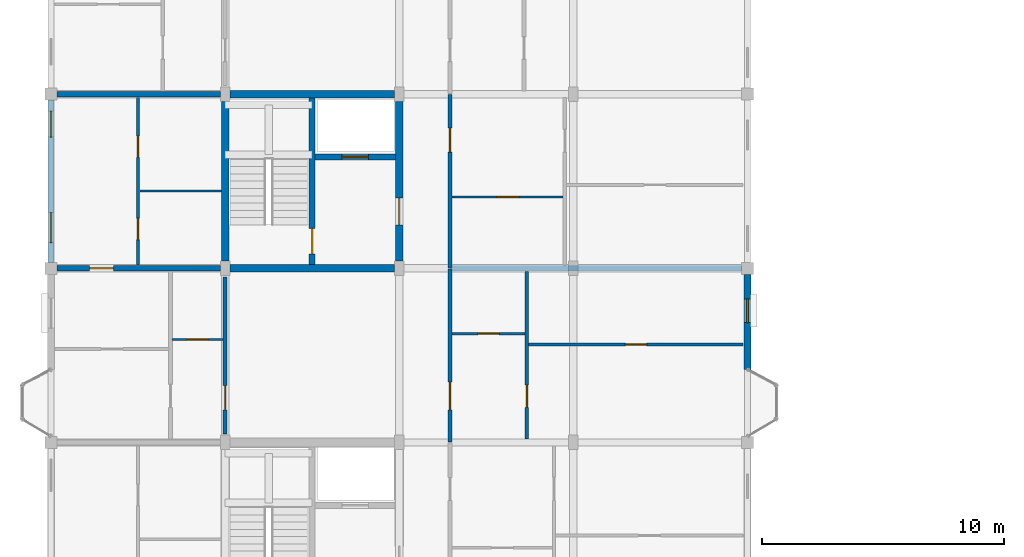
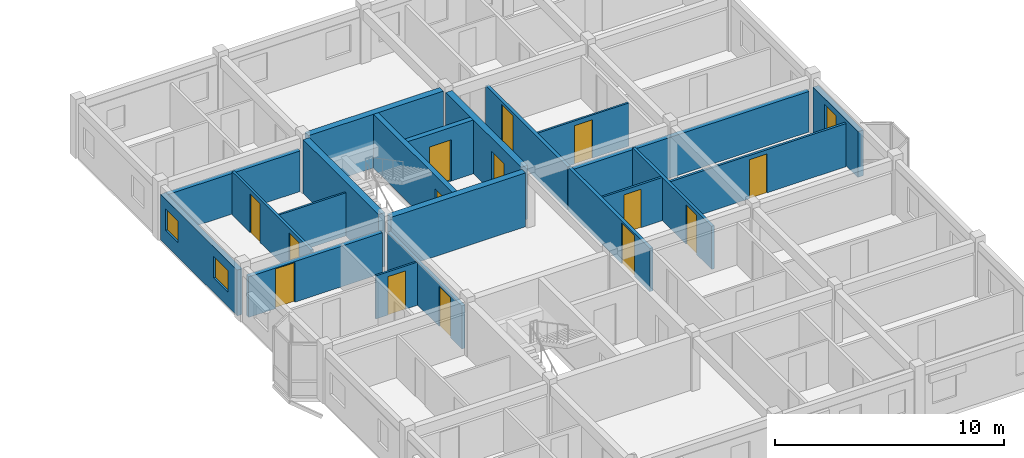
# One storey, part 47 of 65: 21 walls, 14 doors, 3 windows, 17 openings.
"""IFC4 building model written with IfcOpenShell, lengths in metres."""

from ifc_helpers import new_model, si_unit, direction, frame, frame_2d, origin, place, context, subcontext, project, spatial, rectangle, extrude, material, layer, layer_set, type_object, element, fill, save


model = new_model("IFC4")

# Units and contexts
model_context = context("Model", 3, precision=1e-05, world=origin(), true_north=direction((0.0, 1.0)))
body_context = subcontext(model_context, "Body", "Model", "MODEL_VIEW")
ifc_project = project(units=[si_unit("LENGTHUNIT", "METRE"), si_unit("AREAUNIT", "SQUARE_METRE"), si_unit("VOLUMEUNIT", "CUBIC_METRE"), si_unit("PLANEANGLEUNIT", "RADIAN"), si_unit("MASSUNIT", "GRAM", prefix="KILO"), si_unit("THERMODYNAMICTEMPERATUREUNIT", "KELVIN"), si_unit("POWERUNIT", "WATT")], contexts=[model_context])

# Site, building, storey
site_placement = place(None, origin())
site = spatial("IfcSite", under=ifc_project, at=site_placement, CompositionType="ELEMENT")
building_placement = place(site_placement, origin())
building = spatial("IfcBuilding", under=site, at=building_placement, Name="Tavuni Mirador Residences", CompositionType="ELEMENT")
storey_placement = place(building_placement, frame((0.0, 0.0, 29.699951171875)))
storey = spatial("IfcBuildingStorey", under=building, at=storey_placement, Name="L09", CompositionType="ELEMENT", Elevation=29.699951171875)

# Wall, opening, door
ifc_material_1 = material(Name="Precast concrete C40/50", Category="concrete")
ifc_layer_1 = layer(ifc_material_1, 0.25, Name="Precast concrete C40/50", Category="concrete")
ifc_layer_set_1 = layer_set([ifc_layer_1], Name="Precast concrete C40/50")
wall_type_1 = type_object("IfcWallType", Name="WT-COR250", PredefinedType="SHEAR", material=ifc_layer_set_1)
wall_1_placement = place(storey_placement, frame((14.39990234375, 28.9599609375, 0.0), z_axis=(0.0, 0.0, 1.0), x_axis=(0.0, 1.0, 0.0)))
wall_1 = element("IfcWall", 1, at=wall_1_placement, inside=storey, type_object=wall_type_1, Name="CWALL-C2-L09-MID", PredefinedType="SHEAR", context=body_context, shape_type="SweptSolid", body=[
    extrude(rectangle(XDim=6.880126953125, YDim=0.25, at=frame_2d((3.43994140625, 0.0))), origin(), (0.0, 0.0, 1.0), 2.8701171875),
])
opening_1_placement = place(wall_1_placement, frame((0.43994140625, 0.0, 0.0)))
opening_1 = element("IfcOpeningElement", 2, at=opening_1_placement, cuts=wall_1, Name="Opening D-01", PredefinedType="OPENING", context=body_context, shape_type="SweptSolid", body=[
    extrude(rectangle(XDim=1.050048828125, YDim=2.14990234375, at=frame_2d((0.52490234375, 1.074951171875))), frame((0.0, 0.135009765625, 0.0), z_axis=(0.0, -1.0, 0.0), x_axis=(1.0, 0.0, 0.0)), (0.0, 0.0, 1.0), 0.27001953125),
])
ifc_material_2 = material(Name="Solid core iroko timber", Category="wood")
door_type_1 = type_object("IfcDoorType", Name="DT-ST1050", OperationType="NOTDEFINED", PredefinedType="DOOR", material=ifc_material_2)
door_1_placement = place(opening_1_placement, origin())
door_1 = element("IfcDoor", 3, at=door_1_placement, inside=storey, type_object=door_type_1, Name="DR-2087", OperationType="SINGLE_SWING_LEFT", OverallHeight=2.14990234375, OverallWidth=1.050048828125, PredefinedType="DOOR", context=body_context, shape_type="SweptSolid", body=[
    extrude(rectangle(XDim=1.050048828125, YDim=2.14990234375, at=frame_2d((0.52490234375, 1.074951171875))), frame((0.0, 0.02490234375, 0.0), z_axis=(0.0, -1.0, 0.0), x_axis=(1.0, 0.0, 0.0)), (0.0, 0.0, 1.0), 0.050048828125),
])
fill(opening_1, door_1)

wall_2_placement = place(storey_placement, frame((14.52490234375, 33.39990234375, 0.0), z_axis=(0.0, 0.0, 1.0), x_axis=(1.0, 0.0, 0.0)))
wall_2 = element("IfcWall", 4, at=wall_2_placement, inside=storey, type_object=wall_type_1, Name="CWALL-C2-L09-SHF", PredefinedType="SHEAR", context=body_context, shape_type="SweptSolid", body=[
    extrude(rectangle(XDim=3.315185546875, YDim=0.25, at=frame_2d((1.65771484375, 0.0))), origin(), (0.0, 0.0, 1.0), 2.8701171875),
])
opening_2_placement = place(wall_2_placement, frame((1.10009765625, 0.0, 0.0)))
opening_2 = element("IfcOpeningElement", 5, at=opening_2_placement, cuts=wall_2, Name="Opening LD-01", PredefinedType="OPENING", context=body_context, shape_type="SweptSolid", body=[
    extrude(rectangle(XDim=1.10009765625, YDim=2.199951171875, at=frame_2d((0.550048828125, 1.10009765625))), frame((0.0, 0.135009765625, 0.0), z_axis=(0.0, -1.0, 0.0), x_axis=(1.0, 0.0, 0.0)), (0.0, 0.0, 1.0), 0.27001953125),
])
ifc_material_3 = material(Name="Structural steel S355", Category="steel")
door_type_2 = type_object("IfcDoorType", Name="DT-LD-FF", OperationType="SLIDING_TO_LEFT", PredefinedType="DOOR", material=ifc_material_3)
door_2_placement = place(opening_2_placement, origin())
door_2 = element("IfcDoor", 6, at=door_2_placement, inside=storey, type_object=door_type_2, Name="Lift landing door FL-A2 L09", OperationType="SLIDING_TO_LEFT", OverallHeight=2.199951171875, OverallWidth=1.10009765625, PredefinedType="DOOR", context=body_context, shape_type="SweptSolid", body=[
    extrude(rectangle(XDim=1.10009765625, YDim=2.199951171875, at=frame_2d((0.550048828125, 1.10009765625))), frame((0.0, 0.02490234375, 0.0), z_axis=(0.0, -1.0, 0.0), x_axis=(1.0, 0.0, 0.0)), (0.0, 0.0, 1.0), 0.050048828125),
])
fill(opening_2, door_2)

# Walls
ifc_layer_2 = layer(ifc_material_1, 0.320068359375, Name="Precast concrete C40/50", Category="concrete")
ifc_layer_set_2 = layer_set([ifc_layer_2], Name="Precast concrete C40/50")
wall_type_2 = type_object("IfcWallType", Name="WT-COR320", PredefinedType="SHEAR", material=ifc_layer_set_2)
wall_3_placement = place(storey_placement, frame((10.800048828125, 29.10009765625, 0.0), z_axis=(0.0, 0.0, 1.0), x_axis=(0.0, 1.0, 0.0)))
element("IfcWall", 7, at=wall_3_placement, inside=storey, type_object=wall_type_2, Name="CWALL-C2-L09-W", PredefinedType="SHEAR", context=body_context, shape_type="SweptSolid", body=[
    extrude(rectangle(XDim=6.599853515625, YDim=0.320068359375, at=frame_2d((3.2998046875, 0.0))), origin(), (0.0, 0.0, 1.0), 2.8701171875),
])
wall_4_placement = place(storey_placement, frame((11.0, 36.0, 0.0), z_axis=(0.0, 0.0, 1.0), x_axis=(1.0, 0.0, 0.0)))
element("IfcWall", 8, at=wall_4_placement, inside=storey, type_object=wall_type_2, Name="CWALL-C2-L09-N", PredefinedType="SHEAR", context=body_context, shape_type="SweptSolid", body=[
    extrude(rectangle(XDim=6.800048828125, YDim=0.320068359375, at=frame_2d((3.39990234375, 0.0))), origin(), (0.0, 0.0, 1.0), 2.8701171875),
])

# Wall, opening, door
wall_5_placement = place(storey_placement, frame((18.0, 29.10009765625, 0.0), z_axis=(0.0, 0.0, 1.0), x_axis=(0.0, 1.0, 0.0)))
wall_5 = element("IfcWall", 9, at=wall_5_placement, inside=storey, type_object=wall_type_2, Name="CWALL-C2-L09-E", PredefinedType="SHEAR", context=body_context, shape_type="SweptSolid", body=[
    extrude(rectangle(XDim=6.599853515625, YDim=0.320068359375, at=frame_2d((3.2998046875, 0.0))), origin(), (0.0, 0.0, 1.0), 2.8701171875),
])
opening_3_placement = place(wall_5_placement, frame((1.5, 0.0, 0.0)))
opening_3 = element("IfcOpeningElement", 10, at=opening_3_placement, cuts=wall_5, Name="Opening D-02", PredefinedType="OPENING", context=body_context, shape_type="SweptSolid", body=[
    extrude(rectangle(XDim=1.10009765625, YDim=2.14990234375, at=frame_2d((0.550048828125, 1.074951171875))), frame((0.0, 0.169921875, 0.0), z_axis=(0.0, -1.0, 0.0), x_axis=(1.0, 0.0, 0.0)), (0.0, 0.0, 1.0), 0.340087890625),
])
door_type_3 = type_object("IfcDoorType", Name="DT-LOB1100", OperationType="NOTDEFINED", PredefinedType="DOOR", material=ifc_material_2)
door_3_placement = place(opening_3_placement, frame((1.10009765625, 0.0, 0.0), z_axis=(0.0, 0.0, 1.0), x_axis=(-1.0, 0.0, 0.0)))
door_3 = element("IfcDoor", 11, at=door_3_placement, inside=storey, type_object=door_type_3, Name="DR-2086", OperationType="SINGLE_SWING_LEFT", OverallHeight=2.14990234375, OverallWidth=1.10009765625, PredefinedType="DOOR", context=body_context, shape_type="SweptSolid", body=[
    extrude(rectangle(XDim=1.10009765625, YDim=2.14990234375, at=frame_2d((0.550048828125, 1.074951171875))), frame((0.0, 0.02490234375, 0.0), z_axis=(0.0, -1.0, 0.0), x_axis=(1.0, 0.0, 0.0)), (0.0, 0.0, 1.0), 0.050048828125),
])
fill(opening_3, door_3)

# Wall
wall_6_placement = place(storey_placement, frame((11.0, 28.800048828125, 0.0), z_axis=(0.0, 0.0, 1.0), x_axis=(1.0, 0.0, 0.0)))
element("IfcWall", 12, at=wall_6_placement, inside=storey, type_object=wall_type_2, Name="CWALL-C2-L09-SS", PredefinedType="SHEAR", context=body_context, shape_type="SweptSolid", body=[
    extrude(rectangle(XDim=6.800048828125, YDim=0.320068359375, at=frame_2d((3.39990234375, 0.0))), origin(), (0.0, 0.0, 1.0), 2.8701171875),
])

# Wall, opening, door
ifc_layer_3 = layer(ifc_material_1, 0.1650390625, Name="Precast concrete C40/50", Category="concrete")
ifc_layer_set_3 = layer_set([ifc_layer_3], Name="Precast concrete C40/50")
wall_type_3 = type_object("IfcWallType", Name="WT-CORR165", PredefinedType="PARTITIONING", material=ifc_layer_set_3)
wall_7_placement = place(storey_placement, frame((20.10009765625, 21.6201171875, 0.0), z_axis=(0.0, 0.0, 1.0), x_axis=(0.0, 1.0, 0.0)))
wall_7 = element("IfcWall", 13, at=wall_7_placement, inside=storey, type_object=wall_type_3, Name="CORW-BLK-A-L09-0-02", PredefinedType="PARTITIONING", context=body_context, shape_type="SweptSolid", body=[
    extrude(rectangle(XDim=7.159912109375, YDim=0.1650390625, at=frame_2d((3.580078125, 0.0))), origin(), (0.0, 0.0, 1.0), 2.304931640625),
])
opening_4_placement = place(wall_7_placement, frame((1.330078125, 0.0, 0.0)))
opening_4 = element("IfcOpeningElement", 14, at=opening_4_placement, cuts=wall_7, Name="Opening D-20", PredefinedType="OPENING", context=body_context, shape_type="SweptSolid", body=[
    extrude(rectangle(XDim=1.139892578125, YDim=2.179931640625, at=frame_2d((0.56982421875, 1.08984375))), frame((0.0, 0.092529296875, 0.0), z_axis=(0.0, -1.0, 0.0), x_axis=(1.0, 0.0, 0.0)), (0.0, 0.0, 1.0), 0.18505859375),
])
door_type_4 = type_object("IfcDoorType", Name="DT-FD60-1140", OperationType="NOTDEFINED", PredefinedType="DOOR", material=ifc_material_2)
door_4_placement = place(opening_4_placement, origin())
door_4 = element("IfcDoor", 15, at=door_4_placement, inside=storey, type_object=door_type_4, Name="DR-2471", OperationType="SINGLE_SWING_RIGHT", OverallHeight=2.179931640625, OverallWidth=1.139892578125, PredefinedType="DOOR", context=body_context, shape_type="SweptSolid", body=[
    extrude(rectangle(XDim=1.139892578125, YDim=2.179931640625, at=frame_2d((0.56982421875, 1.08984375))), frame((0.0, 0.02490234375, 0.0), z_axis=(0.0, -1.0, 0.0), x_axis=(1.0, 0.0, 0.0)), (0.0, 0.0, 1.0), 0.050048828125),
])
fill(opening_4, door_4)

wall_8_placement = place(storey_placement, frame((20.10009765625, 28.820068359375, 0.0), z_axis=(0.0, 0.0, 1.0), x_axis=(0.0, 1.0, 0.0)))
wall_8 = element("IfcWall", 16, at=wall_8_placement, inside=storey, type_object=wall_type_3, Name="CORW-BLK-A-L09-0-03", PredefinedType="PARTITIONING", context=body_context, shape_type="SweptSolid", body=[
    extrude(rectangle(XDim=7.159912109375, YDim=0.1650390625, at=frame_2d((3.580078125, 0.0))), origin(), (0.0, 0.0, 1.0), 2.304931640625),
])
opening_5_placement = place(wall_8_placement, frame((4.780029296875, 0.0, 0.0)))
opening_5 = element("IfcOpeningElement", 17, at=opening_5_placement, cuts=wall_8, Name="Opening D-03", PredefinedType="OPENING", context=body_context, shape_type="SweptSolid", body=[
    extrude(rectangle(XDim=1.0, YDim=2.14990234375, at=frame_2d((0.5, 1.074951171875))), frame((0.0, 0.092529296875, 0.0), z_axis=(0.0, -1.0, 0.0), x_axis=(1.0, 0.0, 0.0)), (0.0, 0.0, 1.0), 0.18505859375),
])
door_type_5 = type_object("IfcDoorType", Name="DT-FD60-1000", OperationType="NOTDEFINED", PredefinedType="DOOR", material=ifc_material_2)
door_5_placement = place(opening_5_placement, origin())
door_5 = element("IfcDoor", 18, at=door_5_placement, inside=storey, type_object=door_type_5, Name="DR-2472", OperationType="SINGLE_SWING_LEFT", OverallHeight=2.14990234375, OverallWidth=1.0, PredefinedType="DOOR", context=body_context, shape_type="SweptSolid", body=[
    extrude(rectangle(XDim=1.0, YDim=2.14990234375, at=frame_2d((0.5, 1.074951171875))), frame((0.0, 0.02490234375, 0.0), z_axis=(0.0, -1.0, 0.0), x_axis=(1.0, 0.0, 0.0)), (0.0, 0.0, 1.0), 0.050048828125),
])
fill(opening_5, door_5)

wall_9_placement = place(storey_placement, frame((10.800048828125, 21.949951171875, 0.0), z_axis=(0.0, 0.0, 1.0), x_axis=(0.0, 1.0, 0.0)))
wall_9 = element("IfcWall", 19, at=wall_9_placement, inside=storey, type_object=wall_type_3, Name="CORW-BLK-A-L09-1-02", PredefinedType="PARTITIONING", context=body_context, shape_type="SweptSolid", body=[
    extrude(rectangle(XDim=6.5, YDim=0.1650390625, at=frame_2d((3.25, 0.0))), origin(), (0.0, 0.0, 1.0), 2.304931640625),
])
opening_6_placement = place(wall_9_placement, frame((1.0, 0.0, 0.0)))
opening_6 = element("IfcOpeningElement", 20, at=opening_6_placement, cuts=wall_9, Name="Opening D-03", PredefinedType="OPENING", context=body_context, shape_type="SweptSolid", body=[
    extrude(rectangle(XDim=1.0, YDim=2.14990234375, at=frame_2d((0.5, 1.074951171875))), frame((0.0, 0.092529296875, 0.0), z_axis=(0.0, -1.0, 0.0), x_axis=(1.0, 0.0, 0.0)), (0.0, 0.0, 1.0), 0.18505859375),
])
door_6_placement = place(opening_6_placement, origin())
door_6 = element("IfcDoor", 21, at=door_6_placement, inside=storey, type_object=door_type_5, Name="DR-2475", OperationType="SINGLE_SWING_RIGHT", OverallHeight=2.14990234375, OverallWidth=1.0, PredefinedType="DOOR", context=body_context, shape_type="SweptSolid", body=[
    extrude(rectangle(XDim=1.0, YDim=2.14990234375, at=frame_2d((0.5, 1.074951171875))), frame((0.0, 0.02490234375, 0.0), z_axis=(0.0, -1.0, 0.0), x_axis=(1.0, 0.0, 0.0)), (0.0, 0.0, 1.0), 0.050048828125),
])
fill(opening_6, door_6)

# Wall, openings, windows
ifc_material_4 = material(Name="Sgraffito lime-rendered precast concrete C40/50", Category="concrete")
ifc_layer_4 = layer(ifc_material_4, 0.2548828125, Name="Sgraffito lime-rendered precast concrete C40/50", Category="concrete")
ifc_layer_set_4 = layer_set([ifc_layer_4], Name="Sgraffito lime-rendered precast concrete C40/50")
wall_type_4 = type_object("IfcWallType", Name="WT-EXT-PC255", PredefinedType="SOLIDWALL", material=ifc_layer_set_4)
wall_10_placement = place(storey_placement, frame((3.60009765625, 35.75, 0.0), z_axis=(0.0, 0.0, 1.0), x_axis=(0.0, -1.0, 0.0)))
wall_10 = element("IfcWall", 22, at=wall_10_placement, inside=storey, type_object=wall_type_4, Name="EW-BLK-A-L09-W03", PredefinedType="SOLIDWALL", context=body_context, shape_type="SweptSolid", body=[
    extrude(rectangle(XDim=6.699951171875, YDim=0.2548828125, at=frame_2d((3.35009765625, 0.0))), origin(), (0.0, 0.0, 1.0), 2.43994140625),
])
opening_7_placement = place(wall_10_placement, frame((0.449951171875, 0.0, 0.780029296875)))
opening_7 = element("IfcOpeningElement", 23, at=opening_7_placement, cuts=wall_10, Name="Opening WN-04", PredefinedType="OPENING", context=body_context, shape_type="SweptSolid", body=[
    extrude(rectangle(XDim=1.080078125, YDim=1.14990234375, at=frame_2d((0.5400390625, 0.574951171875))), frame((0.0, 0.137451171875, 0.0), z_axis=(0.0, -1.0, 0.0), x_axis=(1.0, 0.0, 0.0)), (0.0, 0.0, 1.0), 0.27490234375),
])
opening_8_placement = place(wall_10_placement, frame((4.64990234375, 0.0, 0.780029296875)))
opening_8 = element("IfcOpeningElement", 24, at=opening_8_placement, cuts=wall_10, Name="Opening WN-06", PredefinedType="OPENING", context=body_context, shape_type="SweptSolid", body=[
    extrude(rectangle(XDim=1.239990234375, YDim=1.14990234375, at=frame_2d((0.6201171875, 0.574951171875))), frame((0.0, 0.137451171875, 0.0), z_axis=(0.0, -1.0, 0.0), x_axis=(1.0, 0.0, 0.0)), (0.0, 0.0, 1.0), 0.27490234375),
])
ifc_material_5 = material(Name="Laminated solar-control glass", Category="glass")
window_type_1 = type_object("IfcWindowType", Name="WNT-04", PartitioningType="SINGLE_PANEL", PredefinedType="WINDOW", material=ifc_material_5)
window_1_placement = place(opening_7_placement, origin())
window_1 = element("IfcWindow", 25, at=window_1_placement, inside=storey, type_object=window_type_1, Name="WIN-0354", OverallHeight=1.14990234375, OverallWidth=1.080078125, PartitioningType="SINGLE_PANEL", PredefinedType="WINDOW", context=body_context, shape_type="SweptSolid", body=[
    extrude(rectangle(XDim=1.080078125, YDim=1.14990234375, at=frame_2d((0.5400390625, 0.574951171875))), frame((0.0, 0.030029296875, 0.0), z_axis=(0.0, -1.0, 0.0), x_axis=(1.0, 0.0, 0.0)), (0.0, 0.0, 1.0), 0.06005859375),
])
fill(opening_7, window_1)
window_type_2 = type_object("IfcWindowType", Name="WNT-06", PartitioningType="SINGLE_PANEL", PredefinedType="WINDOW", material=ifc_material_5)
window_2_placement = place(opening_8_placement, origin())
window_2 = element("IfcWindow", 26, at=window_2_placement, inside=storey, type_object=window_type_2, Name="WIN-0355", OverallHeight=1.14990234375, OverallWidth=1.239990234375, PartitioningType="SINGLE_PANEL", PredefinedType="WINDOW", context=body_context, shape_type="SweptSolid", body=[
    extrude(rectangle(XDim=1.239990234375, YDim=1.14990234375, at=frame_2d((0.6201171875, 0.574951171875))), frame((0.0, 0.030029296875, 0.0), z_axis=(0.0, -1.0, 0.0), x_axis=(1.0, 0.0, 0.0)), (0.0, 0.0, 1.0), 0.06005859375),
])
fill(opening_8, window_2)

# Wall, opening, window
ifc_layer_5 = layer(ifc_material_4, 0.27490234375, Name="Sgraffito lime-rendered precast concrete C40/50", Category="concrete")
ifc_layer_set_5 = layer_set([ifc_layer_5], Name="Sgraffito lime-rendered precast concrete C40/50")
wall_type_5 = type_object("IfcWallType", Name="WT-EXT-PC275", PredefinedType="SOLIDWALL", material=ifc_layer_set_5)
wall_11_placement = place(storey_placement, frame((32.39990234375, 24.6201171875, 0.0), z_axis=(0.0, 0.0, 1.0), x_axis=(0.0, 1.0, 0.0)))
wall_11 = element("IfcWall", 27, at=wall_11_placement, inside=storey, type_object=wall_type_5, Name="EW-BLK-A-L09-E02", PredefinedType="SOLIDWALL", context=body_context, shape_type="SweptSolid", body=[
    extrude(rectangle(XDim=3.929931640625, YDim=0.27490234375, at=frame_2d((1.96484375, 0.0))), origin(), (0.0, 0.0, 1.0), 2.43994140625),
])
opening_9_placement = place(wall_11_placement, frame((1.93505859375, 0.0, 0.780029296875)))
opening_9 = element("IfcOpeningElement", 28, at=opening_9_placement, cuts=wall_11, Name="Opening WN-18", PredefinedType="OPENING", context=body_context, shape_type="SweptSolid", body=[
    extrude(rectangle(XDim=0.97998046875, YDim=1.360107421875, at=frame_2d((0.489990234375, 0.68017578125))), frame((0.0, 0.1474609375, 0.0), z_axis=(0.0, -1.0, 0.0), x_axis=(1.0, 0.0, 0.0)), (0.0, 0.0, 1.0), 0.294921875),
])
window_type_3 = type_object("IfcWindowType", Name="WNT-18", PartitioningType="SINGLE_PANEL", PredefinedType="WINDOW", material=ifc_material_5)
window_3_placement = place(opening_9_placement, origin())
window_3 = element("IfcWindow", 29, at=window_3_placement, inside=storey, type_object=window_type_3, Name="WIN-0338", OverallHeight=1.360107421875, OverallWidth=0.97998046875, PartitioningType="SINGLE_PANEL", PredefinedType="WINDOW", context=body_context, shape_type="SweptSolid", body=[
    extrude(rectangle(XDim=0.97998046875, YDim=1.360107421875, at=frame_2d((0.489990234375, 0.68017578125))), frame((0.0, 0.030029296875, 0.0), z_axis=(0.0, -1.0, 0.0), x_axis=(1.0, 0.0, 0.0)), (0.0, 0.0, 1.0), 0.06005859375),
])
fill(opening_9, window_3)

# Wall, opening, door
ifc_material_6 = material(Name="Acoustic gypsum and concrete block partition", Category="concrete")
ifc_layer_6 = layer(ifc_material_6, 0.094970703125, Name="Acoustic gypsum and concrete block partition", Category="concrete")
ifc_layer_set_6 = layer_set([ifc_layer_6], Name="Acoustic gypsum and concrete block partition")
wall_type_6 = type_object("IfcWallType", Name="WT-PART095", PredefinedType="PARTITIONING", material=ifc_layer_set_6)
wall_12_placement = place(storey_placement, frame((8.610107421875, 25.860107421875, 0.0), z_axis=(0.0, 0.0, 1.0), x_axis=(1.0, 0.0, 0.0)))
wall_12 = element("IfcWall", 30, at=wall_12_placement, inside=storey, type_object=wall_type_6, Name="PW-BLK-A-L09-W02-IN1", PredefinedType="PARTITIONING", context=body_context, shape_type="SweptSolid", body=[
    extrude(rectangle(XDim=2.099853515625, YDim=0.094970703125, at=frame_2d((1.0498046875, 0.0))), origin(), (0.0, 0.0, 1.0), 2.304931640625),
])
opening_10_placement = place(wall_12_placement, frame((0.60009765625, 0.0, 0.0)))
opening_10 = element("IfcOpeningElement", 31, at=opening_10_placement, cuts=wall_12, Name="Opening D-09", PredefinedType="OPENING", context=body_context, shape_type="SweptSolid", body=[
    extrude(rectangle(XDim=0.89990234375, YDim=2.050048828125, at=frame_2d((0.449951171875, 1.02490234375))), frame((0.0, 0.0576171875, 0.0), z_axis=(0.0, -1.0, 0.0), x_axis=(1.0, 0.0, 0.0)), (0.0, 0.0, 1.0), 0.114990234375),
])
door_type_6 = type_object("IfcDoorType", Name="DT-WC900", OperationType="NOTDEFINED", PredefinedType="DOOR", material=ifc_material_2)
door_7_placement = place(opening_10_placement, origin())
door_7 = element("IfcDoor", 32, at=door_7_placement, inside=storey, type_object=door_type_6, Name="DR-3240", OperationType="SINGLE_SWING_RIGHT", OverallHeight=2.050048828125, OverallWidth=0.89990234375, PredefinedType="DOOR", context=body_context, shape_type="SweptSolid", body=[
    extrude(rectangle(XDim=0.89990234375, YDim=2.050048828125, at=frame_2d((0.449951171875, 1.02490234375))), frame((0.0, 0.02490234375, 0.0), z_axis=(0.0, -1.0, 0.0), x_axis=(1.0, 0.0, 0.0)), (0.0, 0.0, 1.0), 0.050048828125),
])
fill(opening_10, door_7)

# Wall
wall_13_placement = place(storey_placement, frame((7.27001953125, 32.0, 0.0), z_axis=(0.0, 0.0, 1.0), x_axis=(1.0, 0.0, 0.0)))
element("IfcWall", 33, at=wall_13_placement, inside=storey, type_object=wall_type_6, Name="PW-BLK-A-L09-WC03-H", PredefinedType="PARTITIONING", context=body_context, shape_type="SweptSolid", body=[
    extrude(rectangle(XDim=3.389892578125, YDim=0.094970703125, at=frame_2d((1.69482421875, 0.0))), origin(), (0.0, 0.0, 1.0), 2.304931640625),
])

# Wall, opening, door
wall_14_placement = place(storey_placement, frame((20.18994140625, 31.75, 0.0), z_axis=(0.0, 0.0, 1.0), x_axis=(1.0, 0.0, 0.0)))
wall_14 = element("IfcWall", 34, at=wall_14_placement, inside=storey, type_object=wall_type_6, Name="PW-BLK-A-L09-E03-IN1", PredefinedType="PARTITIONING", context=body_context, shape_type="SweptSolid", body=[
    extrude(rectangle(XDim=4.590087890625, YDim=0.094970703125, at=frame_2d((2.294921875, 0.0))), origin(), (0.0, 0.0, 1.0), 2.304931640625),
])
opening_11_placement = place(wall_14_placement, frame((1.844970703125, 0.0, 0.0)))
opening_11 = element("IfcOpeningElement", 35, at=opening_11_placement, cuts=wall_14, Name="Opening D-09", PredefinedType="OPENING", context=body_context, shape_type="SweptSolid", body=[
    extrude(rectangle(XDim=0.89990234375, YDim=2.050048828125, at=frame_2d((0.449951171875, 1.02490234375))), frame((0.0, 0.0576171875, 0.0), z_axis=(0.0, -1.0, 0.0), x_axis=(1.0, 0.0, 0.0)), (0.0, 0.0, 1.0), 0.114990234375),
])
door_8_placement = place(opening_11_placement, origin())
door_8 = element("IfcDoor", 36, at=door_8_placement, inside=storey, type_object=door_type_6, Name="DR-3248", OperationType="SINGLE_SWING_RIGHT", OverallHeight=2.050048828125, OverallWidth=0.89990234375, PredefinedType="DOOR", context=body_context, shape_type="SweptSolid", body=[
    extrude(rectangle(XDim=0.89990234375, YDim=2.050048828125, at=frame_2d((0.449951171875, 1.02490234375))), frame((0.0, 0.02490234375, 0.0), z_axis=(0.0, -1.0, 0.0), x_axis=(1.0, 0.0, 0.0)), (0.0, 0.0, 1.0), 0.050048828125),
])
fill(opening_11, door_8)

ifc_layer_7 = layer(ifc_material_6, 0.10498046875, Name="Acoustic gypsum and concrete block partition", Category="concrete")
ifc_layer_set_7 = layer_set([ifc_layer_7], Name="Acoustic gypsum and concrete block partition")
wall_type_7 = type_object("IfcWallType", Name="WT-PART105", PredefinedType="PARTITIONING", material=ifc_layer_set_7)
wall_15_placement = place(storey_placement, frame((20.18994140625, 26.10009765625, 0.0), z_axis=(0.0, 0.0, 1.0), x_axis=(1.0, 0.0, 0.0)))
wall_15 = element("IfcWall", 37, at=wall_15_placement, inside=storey, type_object=wall_type_7, Name="PW-BLK-A-L09-E02-IN1", PredefinedType="PARTITIONING", context=body_context, shape_type="SweptSolid", body=[
    extrude(rectangle(XDim=3.02001953125, YDim=0.10498046875, at=frame_2d((1.510009765625, 0.0))), origin(), (0.0, 0.0, 1.0), 2.304931640625),
])
opening_12_placement = place(wall_15_placement, frame((1.074951171875, 0.0, 0.0)))
opening_12 = element("IfcOpeningElement", 38, at=opening_12_placement, cuts=wall_15, Name="Opening D-10", PredefinedType="OPENING", context=body_context, shape_type="SweptSolid", body=[
    extrude(rectangle(XDim=0.8701171875, YDim=2.050048828125, at=frame_2d((0.43505859375, 1.02490234375))), frame((0.0, 0.0625, 0.0), z_axis=(0.0, -1.0, 0.0), x_axis=(1.0, 0.0, 0.0)), (0.0, 0.0, 1.0), 0.125),
])
door_type_7 = type_object("IfcDoorType", Name="DT-WC870", OperationType="NOTDEFINED", PredefinedType="DOOR", material=ifc_material_2)
door_9_placement = place(opening_12_placement, origin())
door_9 = element("IfcDoor", 39, at=door_9_placement, inside=storey, type_object=door_type_7, Name="DR-3243", OperationType="SINGLE_SWING_LEFT", OverallHeight=2.050048828125, OverallWidth=0.8701171875, PredefinedType="DOOR", context=body_context, shape_type="SweptSolid", body=[
    extrude(rectangle(XDim=0.8701171875, YDim=2.050048828125, at=frame_2d((0.43505859375, 1.02490234375))), frame((0.0, 0.02490234375, 0.0), z_axis=(0.0, -1.0, 0.0), x_axis=(1.0, 0.0, 0.0)), (0.0, 0.0, 1.0), 0.050048828125),
])
fill(opening_12, door_9)

ifc_layer_8 = layer(ifc_material_6, 0.114990234375, Name="Acoustic gypsum and concrete block partition", Category="concrete")
ifc_layer_set_8 = layer_set([ifc_layer_8], Name="Acoustic gypsum and concrete block partition")
wall_type_8 = type_object("IfcWallType", Name="WT-PART115", PredefinedType="PARTITIONING", material=ifc_layer_set_8)
wall_16_placement = place(storey_placement, frame((23.35009765625, 25.64990234375, 0.0), z_axis=(0.0, 0.0, 1.0), x_axis=(1.0, 0.0, 0.0)))
wall_16 = element("IfcWall", 40, at=wall_16_placement, inside=storey, type_object=wall_type_8, Name="PW-BLK-A-L09-E02-OUT", PredefinedType="PARTITIONING", context=body_context, shape_type="SweptSolid", body=[
    extrude(rectangle(XDim=8.875, YDim=0.114990234375, at=frame_2d((4.4375, 0.0))), origin(), (0.0, 0.0, 1.0), 2.304931640625),
])
opening_13_placement = place(wall_16_placement, frame((3.99755859375, 0.0, 0.0)))
opening_13 = element("IfcOpeningElement", 41, at=opening_13_placement, cuts=wall_16, Name="Opening D-08", PredefinedType="OPENING", context=body_context, shape_type="SweptSolid", body=[
    extrude(rectangle(XDim=0.8798828125, YDim=2.080078125, at=frame_2d((0.43994140625, 1.0400390625))), frame((0.0, 0.0673828125, 0.0), z_axis=(0.0, -1.0, 0.0), x_axis=(1.0, 0.0, 0.0)), (0.0, 0.0, 1.0), 0.135009765625),
])
door_type_8 = type_object("IfcDoorType", Name="DT-BED880", OperationType="NOTDEFINED", PredefinedType="DOOR", material=ifc_material_2)
door_10_placement = place(opening_13_placement, origin())
door_10 = element("IfcDoor", 42, at=door_10_placement, inside=storey, type_object=door_type_8, Name="DR-3242", OperationType="SINGLE_SWING_RIGHT", OverallHeight=2.080078125, OverallWidth=0.8798828125, PredefinedType="DOOR", context=body_context, shape_type="SweptSolid", body=[
    extrude(rectangle(XDim=0.8798828125, YDim=2.080078125, at=frame_2d((0.43994140625, 1.0400390625))), frame((0.0, 0.02490234375, 0.0), z_axis=(0.0, -1.0, 0.0), x_axis=(1.0, 0.0, 0.0)), (0.0, 0.0, 1.0), 0.050048828125),
])
fill(opening_13, door_10)

# Wall, openings, doors
ifc_layer_9 = layer(ifc_material_6, 0.125, Name="Acoustic gypsum and concrete block partition", Category="concrete")
ifc_layer_set_9 = layer_set([ifc_layer_9], Name="Acoustic gypsum and concrete block partition")
wall_type_9 = type_object("IfcWallType", Name="WT-PART125", PredefinedType="PARTITIONING", material=ifc_layer_set_9)
wall_17_placement = place(storey_placement, frame((7.199951171875, 28.93994140625, 0.0), z_axis=(0.0, 0.0, 1.0), x_axis=(0.0, 1.0, 0.0)))
wall_17 = element("IfcWall", 43, at=wall_17_placement, inside=storey, type_object=wall_type_9, Name="PW-BLK-A-L09-WC03-M", PredefinedType="PARTITIONING", context=body_context, shape_type="SweptSolid", body=[
    extrude(rectangle(XDim=6.920166015625, YDim=0.125, at=frame_2d((3.4599609375, 0.0))), origin(), (0.0, 0.0, 1.0), 2.304931640625),
])
opening_14_placement = place(wall_17_placement, frame((1.050048828125, 0.0, 0.0)))
opening_14 = element("IfcOpeningElement", 44, at=opening_14_placement, cuts=wall_17, Name="Opening D-10", PredefinedType="OPENING", context=body_context, shape_type="SweptSolid", body=[
    extrude(rectangle(XDim=0.8701171875, YDim=2.050048828125, at=frame_2d((0.43505859375, 1.02490234375))), frame((0.0, 0.072509765625, 0.0), z_axis=(0.0, -1.0, 0.0), x_axis=(1.0, 0.0, 0.0)), (0.0, 0.0, 1.0), 0.14501953125),
])
opening_15_placement = place(wall_17_placement, frame((4.449951171875, 0.0, 0.0)))
opening_15 = element("IfcOpeningElement", 45, at=opening_15_placement, cuts=wall_17, Name="Opening D-08", PredefinedType="OPENING", context=body_context, shape_type="SweptSolid", body=[
    extrude(rectangle(XDim=0.8798828125, YDim=2.080078125, at=frame_2d((0.43994140625, 1.0400390625))), frame((0.0, 0.072509765625, 0.0), z_axis=(0.0, -1.0, 0.0), x_axis=(1.0, 0.0, 0.0)), (0.0, 0.0, 1.0), 0.14501953125),
])
door_11_placement = place(opening_15_placement, origin())
door_11 = element("IfcDoor", 46, at=door_11_placement, inside=storey, type_object=door_type_8, Name="DR-3246", OperationType="SINGLE_SWING_LEFT", OverallHeight=2.080078125, OverallWidth=0.8798828125, PredefinedType="DOOR", context=body_context, shape_type="SweptSolid", body=[
    extrude(rectangle(XDim=0.8798828125, YDim=2.080078125, at=frame_2d((0.43994140625, 1.0400390625))), frame((0.0, 0.02490234375, 0.0), z_axis=(0.0, -1.0, 0.0), x_axis=(1.0, 0.0, 0.0)), (0.0, 0.0, 1.0), 0.050048828125),
])
fill(opening_15, door_11)
door_12_placement = place(opening_14_placement, origin())
door_12 = element("IfcDoor", 47, at=door_12_placement, inside=storey, type_object=door_type_7, Name="DR-3245", OperationType="SINGLE_SWING_RIGHT", OverallHeight=2.050048828125, OverallWidth=0.8701171875, PredefinedType="DOOR", context=body_context, shape_type="SweptSolid", body=[
    extrude(rectangle(XDim=0.8701171875, YDim=2.050048828125, at=frame_2d((0.43505859375, 1.02490234375))), frame((0.0, 0.02490234375, 0.0), z_axis=(0.0, -1.0, 0.0), x_axis=(1.0, 0.0, 0.0)), (0.0, 0.0, 1.0), 0.050048828125),
])
fill(opening_14, door_12)

# Wall, opening, door
ifc_layer_10 = layer(ifc_material_6, 0.139892578125, Name="Acoustic gypsum and concrete block partition", Category="concrete")
ifc_layer_set_10 = layer_set([ifc_layer_10], Name="Acoustic gypsum and concrete block partition")
wall_type_10 = type_object("IfcWallType", Name="WT-PART140", PredefinedType="PARTITIONING", material=ifc_layer_set_10)
wall_18_placement = place(storey_placement, frame((23.280029296875, 21.739990234375, 0.0), z_axis=(0.0, 0.0, 1.0), x_axis=(0.0, 1.0, 0.0)))
wall_18 = element("IfcWall", 48, at=wall_18_placement, inside=storey, type_object=wall_type_10, Name="PW-BLK-A-L09-E02-MID", PredefinedType="PARTITIONING", context=body_context, shape_type="SweptSolid", body=[
    extrude(rectangle(XDim=6.919921875, YDim=0.139892578125, at=frame_2d((3.4599609375, 0.0))), origin(), (0.0, 0.0, 1.0), 2.304931640625),
])
opening_16_placement = place(wall_18_placement, frame((1.31005859375, 0.0, 0.0)))
opening_16 = element("IfcOpeningElement", 49, at=opening_16_placement, cuts=wall_18, Name="Opening D-06", PredefinedType="OPENING", context=body_context, shape_type="SweptSolid", body=[
    extrude(rectangle(XDim=0.919921875, YDim=2.10009765625, at=frame_2d((0.4599609375, 1.050048828125))), frame((0.0, 0.080078125, 0.0), z_axis=(0.0, -1.0, 0.0), x_axis=(1.0, 0.0, 0.0)), (0.0, 0.0, 1.0), 0.159912109375),
])
door_type_9 = type_object("IfcDoorType", Name="DT-INT920", OperationType="NOTDEFINED", PredefinedType="DOOR", material=ifc_material_2)
door_13_placement = place(opening_16_placement, origin())
door_13 = element("IfcDoor", 50, at=door_13_placement, inside=storey, type_object=door_type_9, Name="DR-3244", OperationType="SINGLE_SWING_RIGHT", OverallHeight=2.10009765625, OverallWidth=0.919921875, PredefinedType="DOOR", context=body_context, shape_type="SweptSolid", body=[
    extrude(rectangle(XDim=0.919921875, YDim=2.10009765625, at=frame_2d((0.4599609375, 1.050048828125))), frame((0.0, 0.02490234375, 0.0), z_axis=(0.0, -1.0, 0.0), x_axis=(1.0, 0.0, 0.0)), (0.0, 0.0, 1.0), 0.050048828125),
])
fill(opening_16, door_13)

ifc_layer_11 = layer(ifc_material_1, 0.215087890625, Name="Precast concrete C40/50", Category="concrete")
ifc_layer_set_11 = layer_set([ifc_layer_11], Name="Precast concrete C40/50")
wall_type_11 = type_object("IfcWallType", Name="WT-XW215", PredefinedType="SOLIDWALL", material=ifc_layer_set_11)
wall_19_placement = place(storey_placement, frame((3.85009765625, 28.800048828125, 0.0), z_axis=(0.0, 0.0, 1.0), x_axis=(1.0, 0.0, 0.0)))
wall_19 = element("IfcWall", 51, at=wall_19_placement, inside=storey, type_object=wall_type_11, Name="XW-BLK-A-L09-W-03", PredefinedType="SOLIDWALL", context=body_context, shape_type="SweptSolid", body=[
    extrude(rectangle(XDim=6.75, YDim=0.215087890625, at=frame_2d((3.375, 0.0))), origin(), (0.0, 0.0, 1.0), 2.170166015625),
])
opening_17_placement = place(wall_19_placement, frame((1.35009765625, 0.0, 0.0)))
opening_17 = element("IfcOpeningElement", 52, at=opening_17_placement, cuts=wall_19, Name="Opening D-04", PredefinedType="OPENING", context=body_context, shape_type="SweptSolid", body=[
    extrude(rectangle(XDim=0.97998046875, YDim=2.1201171875, at=frame_2d((0.489990234375, 1.06005859375))), frame((0.0, 0.11767578125, 0.0), z_axis=(0.0, -1.0, 0.0), x_axis=(1.0, 0.0, 0.0)), (0.0, 0.0, 1.0), 0.235107421875),
])
door_type_10 = type_object("IfcDoorType", Name="DT-FD60-980", OperationType="NOTDEFINED", PredefinedType="DOOR", material=ifc_material_2)
door_14_placement = place(opening_17_placement, origin())
door_14 = element("IfcDoor", 53, at=door_14_placement, inside=storey, type_object=door_type_10, Name="DR-4693", OperationType="SINGLE_SWING_RIGHT", OverallHeight=2.1201171875, OverallWidth=0.97998046875, PredefinedType="DOOR", context=body_context, shape_type="SweptSolid", body=[
    extrude(rectangle(XDim=0.97998046875, YDim=2.1201171875, at=frame_2d((0.489990234375, 1.06005859375))), frame((0.0, 0.02490234375, 0.0), z_axis=(0.0, -1.0, 0.0), x_axis=(1.0, 0.0, 0.0)), (0.0, 0.0, 1.0), 0.050048828125),
])
fill(opening_17, door_14)

# Walls
wall_20_placement = place(storey_placement, frame((20.10009765625, 28.800048828125, 0.0), z_axis=(0.0, 0.0, 1.0), x_axis=(1.0, 0.0, 0.0)))
element("IfcWall", 54, at=wall_20_placement, inside=storey, type_object=wall_type_11, Name="XW-BLK-A-L09-E-03", PredefinedType="SOLIDWALL", context=body_context, shape_type="SweptSolid", body=[
    extrude(rectangle(XDim=12.0498046875, YDim=0.215087890625, at=frame_2d((6.02490234375, 0.0))), origin(), (0.0, 0.0, 1.0), 2.170166015625),
])
wall_21_placement = place(storey_placement, frame((3.85009765625, 36.0, 0.0), z_axis=(0.0, 0.0, 1.0), x_axis=(1.0, 0.0, 0.0)))
element("IfcWall", 55, at=wall_21_placement, inside=storey, type_object=wall_type_11, Name="XW-BLK-A-L09-W-04", PredefinedType="SOLIDWALL", context=body_context, shape_type="SweptSolid", body=[
    extrude(rectangle(XDim=6.75, YDim=0.215087890625, at=frame_2d((3.375, 0.0))), origin(), (0.0, 0.0, 1.0), 2.170166015625),
])

save(model, "model.ifc")
